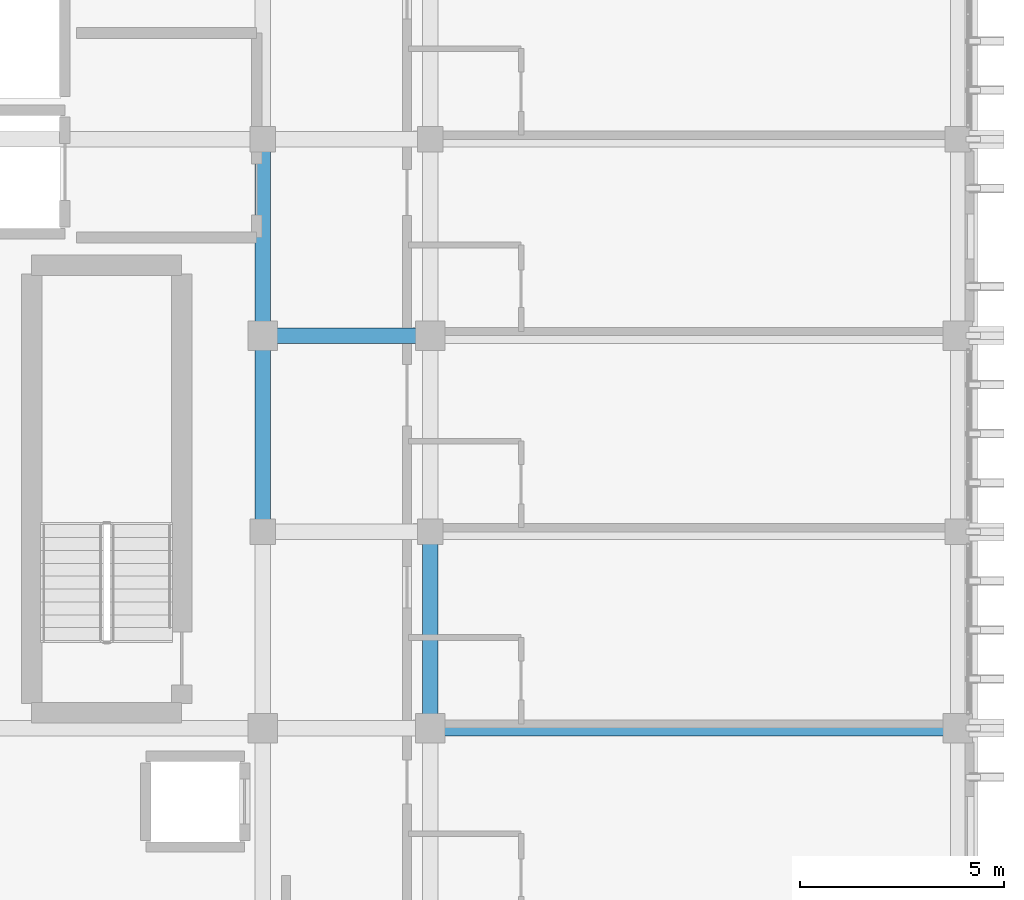
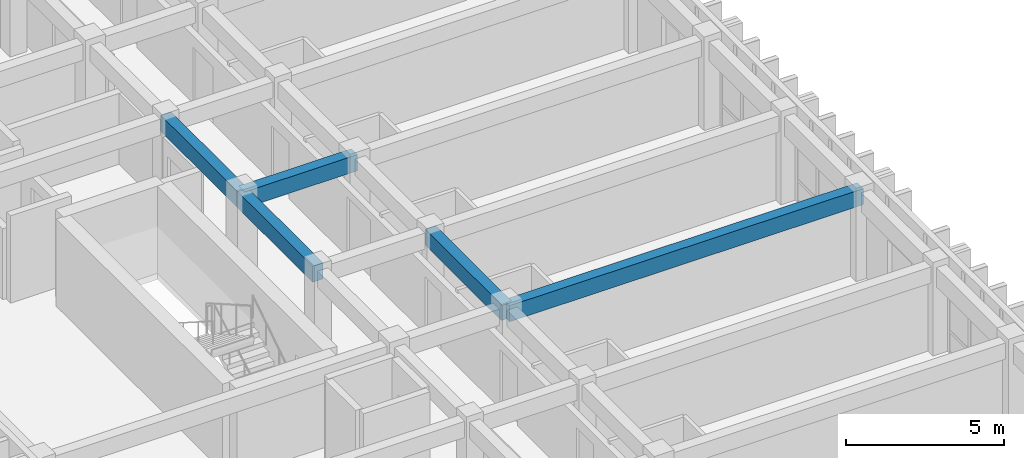
# One storey, part 21 of 59: 5 beams.
"""IFC4 building model written with IfcOpenShell, lengths in metres."""

import ifcopenshell
import ifcopenshell.guid

model = None  # the IFC model being written
_history = None  # IfcOwnerHistory: only IFC2X3 demands one
_inside = {}  # id of a spatial element -> (the spatial element, [elements in it])
_under = {}  # id of a project, library or spatial element -> (it, [spatial elements below it])
_declared = {}  # id of a project -> (the project, [libraries it declares])
_typed = {}  # id of a type object -> (the type object, [elements of that type])
_made_of = {}  # id of a material, layer set ... -> (it, [elements and type objects made of it])


def new_model(schema):
    """Start an empty IFC model of exactly this schema.

    Asked for "IFC4X3", IfcOpenShell would pick the latest addendum, in which some entities
    have other attributes; the version numbers below select the first issue.
    IFC2X3 requires an IfcOwnerHistory on every rooted entity: one is made here for all.
    """
    global model, _history
    if schema == "IFC4X3":
        model = ifcopenshell.file(schema_version=(4, 3, 0, 0))
    else:
        model = ifcopenshell.file(schema=schema)
    _inside.clear()
    _under.clear()
    _declared.clear()
    _typed.clear()
    _made_of.clear()
    _history = None
    if model.schema == "IFC2X3":
        org = make("IfcOrganization", Name="unknown")
        user = make(
            "IfcPersonAndOrganization",
            ThePerson=make("IfcPerson", FamilyName="unknown"),
            TheOrganization=org,
        )
        app = make(
            "IfcApplication",
            ApplicationDeveloper=org,
            Version="unknown",
            ApplicationFullName="unknown",
            ApplicationIdentifier="unknown",
        )
        _history = make(
            "IfcOwnerHistory",
            OwningUser=user,
            OwningApplication=app,
            ChangeAction="ADDED",
            CreationDate=0,
        )
    return model


def make(cls, **values):
    """One entity of the class cls with the attributes given. An attribute that is None is left unset."""
    return model.create_entity(
        cls, **{name: value for name, value in values.items() if value is not None}
    )


def rooted(cls, **values):
    """An entity with a GlobalId (a new one), such as an element, a storey or a relation."""
    return make(cls, GlobalId=ifcopenshell.guid.new(), OwnerHistory=_history, **values)


def si_unit(unit_type, name, prefix=None):
    """IfcSIUnit, for example si_unit("LENGTHUNIT", "METRE", prefix="MILLI")."""
    return make("IfcSIUnit", UnitType=unit_type, Prefix=prefix, Name=name)


def assignment(units):
    """IfcUnitAssignment: the units of a project."""
    return None if units is None else make("IfcUnitAssignment", Units=units)


def point(xyz):
    """IfcCartesianPoint."""
    return None if xyz is None else make("IfcCartesianPoint", Coordinates=xyz)


def direction(xyz):
    """IfcDirection."""
    return None if xyz is None else make("IfcDirection", DirectionRatios=xyz)


def frame(location, z_axis=None, x_axis=None):
    """IfcAxis2Placement3D, a coordinate frame: its origin and axes. An axis left out is left unset."""
    return make(
        "IfcAxis2Placement3D",
        Location=point(location),
        Axis=direction(z_axis),
        RefDirection=direction(x_axis),
    )


def frame_2d(location, x_axis=None):
    """IfcAxis2Placement2D, a coordinate frame in the plane: its origin and x axis."""
    return make(
        "IfcAxis2Placement2D", Location=point(location), RefDirection=direction(x_axis)
    )


def origin():
    """The frame at (0, 0, 0) with its axes left unset."""
    return frame((0.0, 0.0, 0.0))


def origin_2d():
    """The frame at (0, 0) in the plane with its x axis left unset."""
    return frame_2d((0.0, 0.0))


def place(relative_to, where):
    """IfcLocalPlacement: puts the frame where relative to a parent placement (None: the world)."""
    return make(
        "IfcLocalPlacement", PlacementRelTo=relative_to, RelativePlacement=where
    )


def context(
    kind, dimensions, precision=None, world=None, true_north=None, identifier=None
):
    """IfcGeometricRepresentationContext, for example the 3D "Model" context."""
    return make(
        "IfcGeometricRepresentationContext",
        ContextIdentifier=identifier,
        ContextType=kind,
        CoordinateSpaceDimension=dimensions,
        Precision=precision,
        WorldCoordinateSystem=world,
        TrueNorth=true_north,
    )


def subcontext(parent, identifier, kind, view, scale=None):
    """IfcGeometricRepresentationSubContext, for example "Body" below "Model"."""
    return make(
        "IfcGeometricRepresentationSubContext",
        ContextIdentifier=identifier,
        ContextType=kind,
        ParentContext=parent,
        TargetScale=scale,
        TargetView=view,
    )


def project(units=None, contexts=None):
    """IfcProject with its units and contexts."""
    return rooted(
        "IfcProject",
        Name="project",
        RepresentationContexts=contexts,
        UnitsInContext=assignment(units),
    )


def spatial(cls, under=None, at=None, **own):
    """A site, building, storey or space (cls), placed at a placement, below another one or the project."""
    s = rooted(cls, ObjectPlacement=at, **own)
    if under is not None:
        _under.setdefault(under.id(), (under, []))[1].append(s)
    return s


def profile(cls, at=None, kind="AREA", **sizes):
    """A parametric profile (cls). Its sizes go by their IFC names, for example OverallWidth=200.0."""
    return make(cls, ProfileType=kind, Position=at, **sizes)


def rectangle(**sizes):
    """IfcRectangleProfileDef."""
    return profile("IfcRectangleProfileDef", **sizes)


def extrude(swept, where, along, depth):
    """IfcExtrudedAreaSolid: the profile swept, set in the frame where, extruded along a direction by depth."""
    return make(
        "IfcExtrudedAreaSolid",
        SweptArea=swept,
        Position=where,
        ExtrudedDirection=direction(along),
        Depth=depth,
    )


def shape(context_of_items, identifier, shape_type, items):
    """IfcShapeRepresentation: the items that make up one representation, for example the "Body"."""
    return make(
        "IfcShapeRepresentation",
        ContextOfItems=context_of_items,
        RepresentationIdentifier=identifier,
        RepresentationType=shape_type,
        Items=items,
    )


def material(Name=None, Category=None):
    """IfcMaterial."""
    return make("IfcMaterial", Name=Name, Category=Category)


def material_profile(
    of_material, cross_section, Name=None, Category=None, Priority=None
):
    """IfcMaterialProfile: a cross section and its material."""
    return make(
        "IfcMaterialProfile",
        Name=Name,
        Material=of_material,
        Profile=cross_section,
        Priority=Priority,
        Category=Category,
    )


def profile_set(profiles, Name=None, composite=None):
    """IfcMaterialProfileSet."""
    return make(
        "IfcMaterialProfileSet",
        Name=Name,
        MaterialProfiles=profiles,
        CompositeProfile=composite,
    )


def made_of(thing, what):
    """Note that an element or type object is made of a material, layer set ...; save() writes the relation."""
    if what is not None:
        _made_of.setdefault(what.id(), (what, []))[1].append(thing)
    return thing


def type_object(cls, material=None, **own):
    """A type object (cls), such as IfcWallType, which elements share."""
    return made_of(rooted(cls, **own), material)


def element(
    cls,
    number,
    at=None,
    inside=None,
    cuts=None,
    type_object=None,
    material=None,
    context=None,
    identifier="Body",
    shape_type=None,
    held_by="IfcProductDefinitionShape",
    body=None,
    shapes=None,
    **own,
):
    """One element of the class cls, such as IfcWall. Its Tag is "e" and its number.

    at: its placement. inside: the storey or other place that contains it. cuts: it is an
    opening in that element (IfcRelVoidsElement). A single representation is given by context,
    identifier, shape_type and body (its items); several are given by shapes. held_by: the class
    of the entity that holds the representations. save() writes the other relations.
    """
    e = rooted(cls, Tag="e%d" % number, ObjectPlacement=at, **own)
    if body is not None:
        shapes = [shape(context, identifier, shape_type, body)]
    if shapes is not None:
        e.Representation = make(held_by, Representations=shapes)
    if inside is not None:
        _inside.setdefault(inside.id(), (inside, []))[1].append(e)
    if cuts is not None:
        rooted(
            "IfcRelVoidsElement", RelatingBuildingElement=cuts, RelatedOpeningElement=e
        )
    if type_object is not None:
        _typed.setdefault(type_object.id(), (type_object, []))[1].append(e)
    return made_of(e, material)


def aggregate(whole, parts):
    """IfcRelAggregates: a whole, such as a stair, and the parts it consists of."""
    return rooted("IfcRelAggregates", RelatingObject=whole, RelatedObjects=parts)


def save(model, path):
    """Write the relations noted so far, then the file.

    IfcRelAggregates (storeys below a building ...), IfcRelContainedInSpatialStructure (elements
    in a storey), IfcRelDefinesByType, IfcRelAssociatesMaterial and IfcRelDeclares: one each for
    every whole, place, type object, material and project.
    """
    for whole, parts in _under.values():
        aggregate(whole, parts)
    for where, things in _inside.values():
        rooted(
            "IfcRelContainedInSpatialStructure",
            RelatedElements=things,
            RelatingStructure=where,
        )
    for kind, things in _typed.values():
        rooted("IfcRelDefinesByType", RelatedObjects=things, RelatingType=kind)
    for what, things in _made_of.values():
        rooted("IfcRelAssociatesMaterial", RelatedObjects=things, RelatingMaterial=what)
    for by, libraries in _declared.values():
        rooted("IfcRelDeclares", RelatingContext=by, RelatedDefinitions=libraries)
    model.write(path)


model = new_model("IFC4")

# Units and contexts
model_context = context("Model", 3, precision=1e-05, world=origin(), true_north=direction((0.0, 1.0)))
body_context = subcontext(model_context, "Body", "Model", "MODEL_VIEW")
ifc_project = project(units=[si_unit("LENGTHUNIT", "METRE"), si_unit("AREAUNIT", "SQUARE_METRE"), si_unit("VOLUMEUNIT", "CUBIC_METRE"), si_unit("PLANEANGLEUNIT", "RADIAN"), si_unit("MASSUNIT", "GRAM", prefix="KILO")], contexts=[model_context])

# Site, building, storey
site_placement = place(None, origin())
site = spatial("IfcSite", under=ifc_project, at=site_placement, CompositionType="ELEMENT")
building_placement = place(site_placement, origin())
building = spatial("IfcBuilding", under=site, at=building_placement, Name="Nakhvara Creek Congress Hotel", CompositionType="ELEMENT")
storey_placement = place(building_placement, frame((0.0, 0.0, 31.800048828125)))
storey = spatial("IfcBuildingStorey", under=building, at=storey_placement, Name="L07", CompositionType="ELEMENT", Elevation=31.800048828125)

# Beams
ifc_material = material(Name="Concrete C40/50", Category="concrete")
ifc_material_profile = material_profile(ifc_material, rectangle(XDim=0.3798828125, YDim=0.6201171875, at=origin_2d()), Name="RC-BM 380x620", Category="LoadBearing")
ifc_profile_set = profile_set([ifc_material_profile], Name="Concrete C40/50")
beam_type = type_object("IfcBeamType", Name="BM-RC-380X620", PredefinedType="BEAM", material=ifc_profile_set)
beam_1_placement = place(storey_placement, frame((162.35009765625, 86.39990234375, 3.050048828125), z_axis=(1.0, 0.0, 0.0), x_axis=(0.0, 1.0, 0.0)))
element("IfcBeam", 1, at=beam_1_placement, inside=storey, type_object=beam_type, Name="Beam B10-L07-2352", PredefinedType="BEAM", context=body_context, shape_type="SweptSolid", body=[
    extrude(rectangle(XDim=0.3798828125, YDim=0.6201171875, at=origin_2d()), origin(), (0.0, 0.0, 1.0), 4.099853515625),
])
beam_2_placement = place(storey_placement, frame((162.35009765625, 81.60009765625, 3.050048828125), z_axis=(0.0, 1.0, 0.0), x_axis=(-1.0, 0.0, 0.0)))
element("IfcBeam", 2, at=beam_2_placement, inside=storey, type_object=beam_type, Name="Beam B10-L07-2353", PredefinedType="BEAM", context=body_context, shape_type="SweptSolid", body=[
    extrude(rectangle(XDim=0.3798828125, YDim=0.6201171875, at=origin_2d()), origin(), (0.0, 0.0, 1.0), 4.7998046875),
])
beam_3_placement = place(storey_placement, frame((162.35009765625, 86.39990234375, 3.050048828125), z_axis=(0.0, 1.0, 0.0), x_axis=(-1.0, 0.0, 0.0)))
element("IfcBeam", 3, at=beam_3_placement, inside=storey, type_object=beam_type, Name="Beam B10-L07-2354", PredefinedType="BEAM", context=body_context, shape_type="SweptSolid", body=[
    extrude(rectangle(XDim=0.3798828125, YDim=0.6201171875, at=origin_2d()), origin(), (0.0, 0.0, 1.0), 4.800048828125),
])
beam_4_placement = place(storey_placement, frame((166.449951171875, 76.800048828125, 3.050048828125), z_axis=(1.0, 0.0, 0.0), x_axis=(0.0, 1.0, 0.0)))
element("IfcBeam", 4, at=beam_4_placement, inside=storey, type_object=beam_type, Name="Beam B10-L07-2374", PredefinedType="BEAM", context=body_context, shape_type="SweptSolid", body=[
    extrude(rectangle(XDim=0.3798828125, YDim=0.6201171875, at=origin_2d()), origin(), (0.0, 0.0, 1.0), 12.900146484375),
])
beam_5_placement = place(storey_placement, frame((166.449951171875, 76.800048828125, 3.050048828125), z_axis=(0.0, 1.0, 0.0), x_axis=(-1.0, 0.0, 0.0)))
element("IfcBeam", 5, at=beam_5_placement, inside=storey, type_object=beam_type, Name="Beam B10-L07-2376", PredefinedType="BEAM", context=body_context, shape_type="SweptSolid", body=[
    extrude(rectangle(XDim=0.3798828125, YDim=0.6201171875, at=origin_2d()), origin(), (0.0, 0.0, 1.0), 4.800048828125),
])

save(model, "model.ifc")
